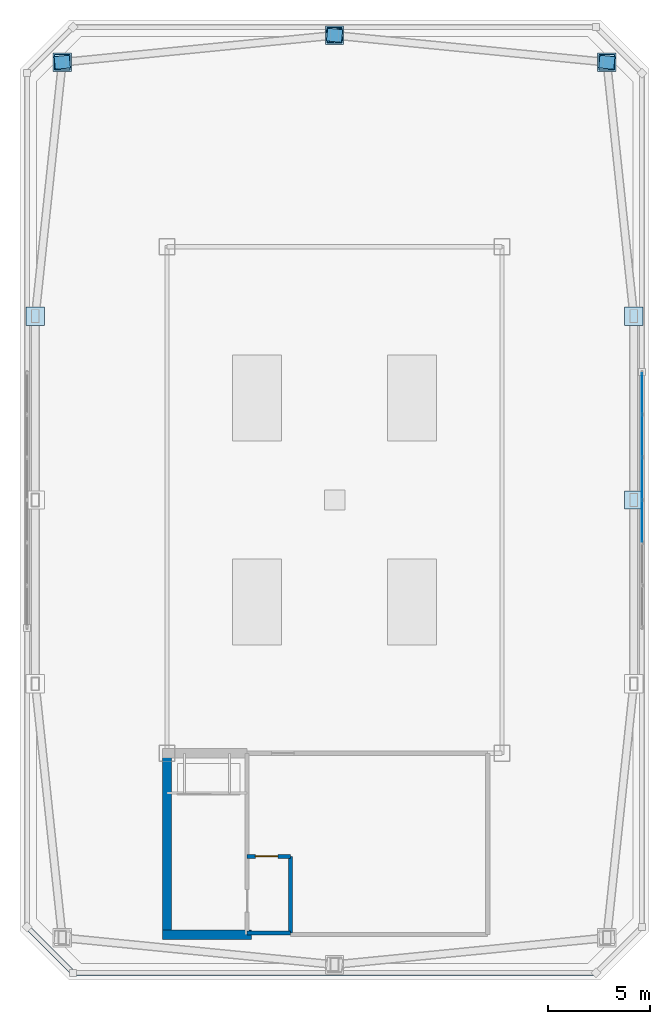
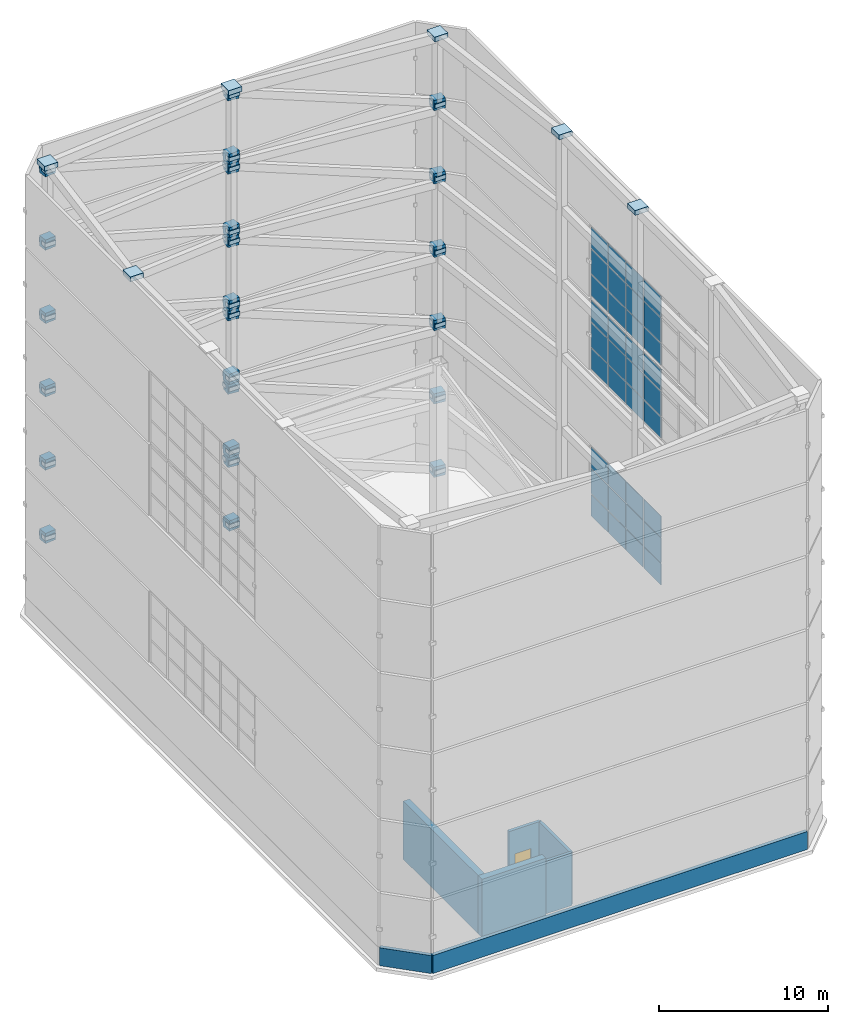
# One storey, part 45 of 47: 90 plates, 7 walls, 1 door, 1 opening, 3 elements without a shape of their own.
"""IFC4 building model written with IfcOpenShell, lengths in metres."""

from ifc_helpers import new_model, si_unit, direction, frame, frame_2d, origin, origin_2d, place, context, subcontext, project, spatial, rectangle, extrude, material, layer, layer_set, type_object, element, fill, aggregate, save


model = new_model("IFC4")

# Units and contexts
model_context = context("Model", 3, precision=1e-05, world=origin(), true_north=direction((0.0, 1.0)))
body_context = subcontext(model_context, "Body", "Model", "MODEL_VIEW")
ifc_project = project(units=[si_unit("LENGTHUNIT", "METRE"), si_unit("AREAUNIT", "SQUARE_METRE"), si_unit("VOLUMEUNIT", "CUBIC_METRE"), si_unit("PLANEANGLEUNIT", "RADIAN"), si_unit("MASSUNIT", "GRAM", prefix="KILO")], contexts=[model_context])

# Site, building, storey
site_placement = place(None, origin())
site = spatial("IfcSite", under=ifc_project, at=site_placement, CompositionType="ELEMENT")
building_placement = place(site_placement, origin())
building = spatial("IfcBuilding", under=site, at=building_placement, Name="Qiaolan Cultural Towers", CompositionType="ELEMENT")
storey_placement = place(building_placement, frame((0.0, 0.0, 280.199951171875)))
storey = spatial("IfcBuildingStorey", under=building, at=storey_placement, Name="RF", CompositionType="ELEMENT", Elevation=280.199951171875)

# Curtain wall, plates
ifc_material_1 = material(Name="Unitized Anodized Aluminium Curtain Wall System", Category="aluminium")
ifc_layer_1 = layer(ifc_material_1, 0.199951171875)
ifc_layer_set_1 = layer_set([ifc_layer_1], Name="Unitized Anodized Aluminium Curtain Wall System")
curtain_wall_type = type_object("IfcCurtainWallType", Name="CWS-06", PredefinedType="NOTDEFINED", material=ifc_layer_set_1)
curtain_wall_1_placement = place(storey_placement, origin())
curtain_wall_1 = element("IfcCurtainWall", 1, at=curtain_wall_1_placement, inside=storey, type_object=curtain_wall_type, Name="T1 Crown Tier 2 Fritted Screen Curtain Wall 3", PredefinedType="NOTDEFINED")
ifc_material_2 = material(Name="Laminated Low-E Insulating Glass Unit", Category="glass")
ifc_layer_2 = layer(ifc_material_2, 0.035888671875)
ifc_layer_set_2 = layer_set([ifc_layer_2], Name="Laminated Low-E Insulating Glass Unit")
plate_type_1 = type_object("IfcPlateType", Name="CWS-06-PNL", PredefinedType="CURTAIN_PANEL", material=ifc_layer_set_2)
plate_1_placement = place(storey_placement, frame((45.050048828125, 32.955078125, 5.46484375), z_axis=(0.0, 0.0, 1.0), x_axis=(0.0, 1.0, 0.0)))
plate_1 = element("IfcPlate", 2, at=plate_1_placement, type_object=plate_type_1, Name="CW-6 panel 3.1", PredefinedType="CURTAIN_PANEL", context=body_context, shape_type="SweptSolid", body=[
    extrude(rectangle(XDim=2.014892578125, YDim=0.035888671875, at=origin_2d()), origin(), (0.0, 0.0, 1.0), 1.532470703125),
])
plate_2_placement = place(storey_placement, frame((45.050048828125, 32.955078125, 7.0625), z_axis=(0.0, 0.0, 1.0), x_axis=(0.0, 1.0, 0.0)))
plate_2 = element("IfcPlate", 3, at=plate_2_placement, type_object=plate_type_1, Name="CW-6 panel 3.2", PredefinedType="CURTAIN_PANEL", context=body_context, shape_type="SweptSolid", body=[
    extrude(rectangle(XDim=2.014892578125, YDim=0.035888671875, at=origin_2d()), origin(), (0.0, 0.0, 1.0), 1.77490234375),
])
plate_3_placement = place(storey_placement, frame((45.050048828125, 32.955078125, 8.90234375), z_axis=(0.0, 0.0, 1.0), x_axis=(0.0, 1.0, 0.0)))
plate_3 = element("IfcPlate", 4, at=plate_3_placement, type_object=plate_type_1, Name="CW-6 panel 3.3", PredefinedType="CURTAIN_PANEL", context=body_context, shape_type="SweptSolid", body=[
    extrude(rectangle(XDim=2.014892578125, YDim=0.035888671875, at=origin_2d()), origin(), (0.0, 0.0, 1.0), 1.532470703125),
])
plate_4_placement = place(storey_placement, frame((45.050048828125, 35.044921875, 5.46484375), z_axis=(0.0, 0.0, 1.0), x_axis=(0.0, 1.0, 0.0)))
plate_4 = element("IfcPlate", 5, at=plate_4_placement, type_object=plate_type_1, Name="CW-6 panel 4.1", PredefinedType="CURTAIN_PANEL", context=body_context, shape_type="SweptSolid", body=[
    extrude(rectangle(XDim=2.014892578125, YDim=0.035888671875, at=origin_2d()), origin(), (0.0, 0.0, 1.0), 1.532470703125),
])
plate_5_placement = place(storey_placement, frame((45.050048828125, 35.044921875, 7.0625), z_axis=(0.0, 0.0, 1.0), x_axis=(0.0, 1.0, 0.0)))
plate_5 = element("IfcPlate", 6, at=plate_5_placement, type_object=plate_type_1, Name="CW-6 panel 4.2", PredefinedType="CURTAIN_PANEL", context=body_context, shape_type="SweptSolid", body=[
    extrude(rectangle(XDim=2.014892578125, YDim=0.035888671875, at=origin_2d()), origin(), (0.0, 0.0, 1.0), 1.77490234375),
])
plate_6_placement = place(storey_placement, frame((45.050048828125, 35.044921875, 8.90234375), z_axis=(0.0, 0.0, 1.0), x_axis=(0.0, 1.0, 0.0)))
plate_6 = element("IfcPlate", 7, at=plate_6_placement, type_object=plate_type_1, Name="CW-6 panel 4.3", PredefinedType="CURTAIN_PANEL", context=body_context, shape_type="SweptSolid", body=[
    extrude(rectangle(XDim=2.014892578125, YDim=0.035888671875, at=origin_2d()), origin(), (0.0, 0.0, 1.0), 1.532470703125),
])
plate_7_placement = place(storey_placement, frame((45.050048828125, 37.135009765625, 5.46484375), z_axis=(0.0, 0.0, 1.0), x_axis=(0.0, 1.0, 0.0)))
plate_7 = element("IfcPlate", 8, at=plate_7_placement, type_object=plate_type_1, Name="CW-6 panel 5.1", PredefinedType="CURTAIN_PANEL", context=body_context, shape_type="SweptSolid", body=[
    extrude(rectangle(XDim=2.014892578125, YDim=0.035888671875, at=origin_2d()), origin(), (0.0, 0.0, 1.0), 1.532470703125),
])
plate_8_placement = place(storey_placement, frame((45.050048828125, 37.135009765625, 7.0625), z_axis=(0.0, 0.0, 1.0), x_axis=(0.0, 1.0, 0.0)))
plate_8 = element("IfcPlate", 9, at=plate_8_placement, type_object=plate_type_1, Name="CW-6 panel 5.2", PredefinedType="CURTAIN_PANEL", context=body_context, shape_type="SweptSolid", body=[
    extrude(rectangle(XDim=2.014892578125, YDim=0.035888671875, at=origin_2d()), origin(), (0.0, 0.0, 1.0), 1.77490234375),
])
plate_9_placement = place(storey_placement, frame((45.050048828125, 37.135009765625, 8.90234375), z_axis=(0.0, 0.0, 1.0), x_axis=(0.0, 1.0, 0.0)))
plate_9 = element("IfcPlate", 10, at=plate_9_placement, type_object=plate_type_1, Name="CW-6 panel 5.3", PredefinedType="CURTAIN_PANEL", context=body_context, shape_type="SweptSolid", body=[
    extrude(rectangle(XDim=2.014892578125, YDim=0.035888671875, at=origin_2d()), origin(), (0.0, 0.0, 1.0), 1.532470703125),
])
plate_10_placement = place(storey_placement, frame((45.050048828125, 39.206298828125, 5.46484375), z_axis=(0.0, 0.0, 1.0), x_axis=(0.0, 1.0, 0.0)))
plate_10 = element("IfcPlate", 11, at=plate_10_placement, type_object=plate_type_1, Name="CW-6 panel 6.1", PredefinedType="CURTAIN_PANEL", context=body_context, shape_type="SweptSolid", body=[
    extrude(rectangle(XDim=1.9775390625, YDim=0.035888671875, at=origin_2d()), origin(), (0.0, 0.0, 1.0), 1.532470703125),
])
plate_11_placement = place(storey_placement, frame((45.050048828125, 39.206298828125, 7.0625), z_axis=(0.0, 0.0, 1.0), x_axis=(0.0, 1.0, 0.0)))
plate_11 = element("IfcPlate", 12, at=plate_11_placement, type_object=plate_type_1, Name="CW-6 panel 6.2", PredefinedType="CURTAIN_PANEL", context=body_context, shape_type="SweptSolid", body=[
    extrude(rectangle(XDim=1.9775390625, YDim=0.035888671875, at=origin_2d()), origin(), (0.0, 0.0, 1.0), 1.77490234375),
])
plate_12_placement = place(storey_placement, frame((45.050048828125, 39.206298828125, 8.90234375), z_axis=(0.0, 0.0, 1.0), x_axis=(0.0, 1.0, 0.0)))
plate_12 = element("IfcPlate", 13, at=plate_12_placement, type_object=plate_type_1, Name="CW-6 panel 6.3", PredefinedType="CURTAIN_PANEL", context=body_context, shape_type="SweptSolid", body=[
    extrude(rectangle(XDim=1.9775390625, YDim=0.035888671875, at=origin_2d()), origin(), (0.0, 0.0, 1.0), 1.532470703125),
])
aggregate(curtain_wall_1, [plate_1, plate_2, plate_3, plate_4, plate_5, plate_6, plate_7, plate_8, plate_9, plate_10, plate_11, plate_12])

curtain_wall_2_placement = place(storey_placement, origin())
curtain_wall_2 = element("IfcCurtainWall", 14, at=curtain_wall_2_placement, inside=storey, type_object=curtain_wall_type, Name="T1 Crown Tier 4 Fritted Screen Curtain Wall 3", PredefinedType="NOTDEFINED")
plate_13_placement = place(storey_placement, frame((45.050048828125, 32.955078125, 16.06494140625), z_axis=(0.0, 0.0, 1.0), x_axis=(0.0, 1.0, 0.0)))
plate_13 = element("IfcPlate", 15, at=plate_13_placement, type_object=plate_type_1, Name="CW-6 panel 3.1", PredefinedType="CURTAIN_PANEL", context=body_context, shape_type="SweptSolid", body=[
    extrude(rectangle(XDim=2.014892578125, YDim=0.035888671875, at=origin_2d()), origin(), (0.0, 0.0, 1.0), 1.532470703125),
])
plate_14_placement = place(storey_placement, frame((45.050048828125, 32.955078125, 17.66259765625), z_axis=(0.0, 0.0, 1.0), x_axis=(0.0, 1.0, 0.0)))
plate_14 = element("IfcPlate", 16, at=plate_14_placement, type_object=plate_type_1, Name="CW-6 panel 3.2", PredefinedType="CURTAIN_PANEL", context=body_context, shape_type="SweptSolid", body=[
    extrude(rectangle(XDim=2.014892578125, YDim=0.035888671875, at=origin_2d()), origin(), (0.0, 0.0, 1.0), 1.77490234375),
])
plate_15_placement = place(storey_placement, frame((45.050048828125, 32.955078125, 19.50244140625), z_axis=(0.0, 0.0, 1.0), x_axis=(0.0, 1.0, 0.0)))
plate_15 = element("IfcPlate", 17, at=plate_15_placement, type_object=plate_type_1, Name="CW-6 panel 3.3", PredefinedType="CURTAIN_PANEL", context=body_context, shape_type="SweptSolid", body=[
    extrude(rectangle(XDim=2.014892578125, YDim=0.035888671875, at=origin_2d()), origin(), (0.0, 0.0, 1.0), 1.532470703125),
])
plate_16_placement = place(storey_placement, frame((45.050048828125, 35.044921875, 16.06494140625), z_axis=(0.0, 0.0, 1.0), x_axis=(0.0, 1.0, 0.0)))
plate_16 = element("IfcPlate", 18, at=plate_16_placement, type_object=plate_type_1, Name="CW-6 panel 4.1", PredefinedType="CURTAIN_PANEL", context=body_context, shape_type="SweptSolid", body=[
    extrude(rectangle(XDim=2.014892578125, YDim=0.035888671875, at=origin_2d()), origin(), (0.0, 0.0, 1.0), 1.532470703125),
])
plate_17_placement = place(storey_placement, frame((45.050048828125, 35.044921875, 17.66259765625), z_axis=(0.0, 0.0, 1.0), x_axis=(0.0, 1.0, 0.0)))
plate_17 = element("IfcPlate", 19, at=plate_17_placement, type_object=plate_type_1, Name="CW-6 panel 4.2", PredefinedType="CURTAIN_PANEL", context=body_context, shape_type="SweptSolid", body=[
    extrude(rectangle(XDim=2.014892578125, YDim=0.035888671875, at=origin_2d()), origin(), (0.0, 0.0, 1.0), 1.77490234375),
])
plate_18_placement = place(storey_placement, frame((45.050048828125, 35.044921875, 19.50244140625), z_axis=(0.0, 0.0, 1.0), x_axis=(0.0, 1.0, 0.0)))
plate_18 = element("IfcPlate", 20, at=plate_18_placement, type_object=plate_type_1, Name="CW-6 panel 4.3", PredefinedType="CURTAIN_PANEL", context=body_context, shape_type="SweptSolid", body=[
    extrude(rectangle(XDim=2.014892578125, YDim=0.035888671875, at=origin_2d()), origin(), (0.0, 0.0, 1.0), 1.532470703125),
])
plate_19_placement = place(storey_placement, frame((45.050048828125, 37.135009765625, 16.06494140625), z_axis=(0.0, 0.0, 1.0), x_axis=(0.0, 1.0, 0.0)))
plate_19 = element("IfcPlate", 21, at=plate_19_placement, type_object=plate_type_1, Name="CW-6 panel 5.1", PredefinedType="CURTAIN_PANEL", context=body_context, shape_type="SweptSolid", body=[
    extrude(rectangle(XDim=2.014892578125, YDim=0.035888671875, at=origin_2d()), origin(), (0.0, 0.0, 1.0), 1.532470703125),
])
plate_20_placement = place(storey_placement, frame((45.050048828125, 37.135009765625, 17.66259765625), z_axis=(0.0, 0.0, 1.0), x_axis=(0.0, 1.0, 0.0)))
plate_20 = element("IfcPlate", 22, at=plate_20_placement, type_object=plate_type_1, Name="CW-6 panel 5.2", PredefinedType="CURTAIN_PANEL", context=body_context, shape_type="SweptSolid", body=[
    extrude(rectangle(XDim=2.014892578125, YDim=0.035888671875, at=origin_2d()), origin(), (0.0, 0.0, 1.0), 1.77490234375),
])
plate_21_placement = place(storey_placement, frame((45.050048828125, 37.135009765625, 19.50244140625), z_axis=(0.0, 0.0, 1.0), x_axis=(0.0, 1.0, 0.0)))
plate_21 = element("IfcPlate", 23, at=plate_21_placement, type_object=plate_type_1, Name="CW-6 panel 5.3", PredefinedType="CURTAIN_PANEL", context=body_context, shape_type="SweptSolid", body=[
    extrude(rectangle(XDim=2.014892578125, YDim=0.035888671875, at=origin_2d()), origin(), (0.0, 0.0, 1.0), 1.532470703125),
])
plate_22_placement = place(storey_placement, frame((45.050048828125, 39.206298828125, 16.06494140625), z_axis=(0.0, 0.0, 1.0), x_axis=(0.0, 1.0, 0.0)))
plate_22 = element("IfcPlate", 24, at=plate_22_placement, type_object=plate_type_1, Name="CW-6 panel 6.1", PredefinedType="CURTAIN_PANEL", context=body_context, shape_type="SweptSolid", body=[
    extrude(rectangle(XDim=1.9775390625, YDim=0.035888671875, at=origin_2d()), origin(), (0.0, 0.0, 1.0), 1.532470703125),
])
plate_23_placement = place(storey_placement, frame((45.050048828125, 39.206298828125, 17.66259765625), z_axis=(0.0, 0.0, 1.0), x_axis=(0.0, 1.0, 0.0)))
plate_23 = element("IfcPlate", 25, at=plate_23_placement, type_object=plate_type_1, Name="CW-6 panel 6.2", PredefinedType="CURTAIN_PANEL", context=body_context, shape_type="SweptSolid", body=[
    extrude(rectangle(XDim=1.9775390625, YDim=0.035888671875, at=origin_2d()), origin(), (0.0, 0.0, 1.0), 1.77490234375),
])
plate_24_placement = place(storey_placement, frame((45.050048828125, 39.206298828125, 19.50244140625), z_axis=(0.0, 0.0, 1.0), x_axis=(0.0, 1.0, 0.0)))
plate_24 = element("IfcPlate", 26, at=plate_24_placement, type_object=plate_type_1, Name="CW-6 panel 6.3", PredefinedType="CURTAIN_PANEL", context=body_context, shape_type="SweptSolid", body=[
    extrude(rectangle(XDim=1.9775390625, YDim=0.035888671875, at=origin_2d()), origin(), (0.0, 0.0, 1.0), 1.532470703125),
])
aggregate(curtain_wall_2, [plate_13, plate_14, plate_15, plate_16, plate_17, plate_18, plate_19, plate_20, plate_21, plate_22, plate_23, plate_24])

curtain_wall_3_placement = place(storey_placement, origin())
curtain_wall_3 = element("IfcCurtainWall", 27, at=curtain_wall_3_placement, inside=storey, type_object=curtain_wall_type, Name="T1 Crown Tier 5 Fritted Screen Curtain Wall 3", PredefinedType="NOTDEFINED")
plate_25_placement = place(storey_placement, frame((45.050048828125, 32.955078125, 21.365234375), z_axis=(0.0, 0.0, 1.0), x_axis=(0.0, 1.0, 0.0)))
plate_25 = element("IfcPlate", 28, at=plate_25_placement, type_object=plate_type_1, Name="CW-6 panel 3.1", PredefinedType="CURTAIN_PANEL", context=body_context, shape_type="SweptSolid", body=[
    extrude(rectangle(XDim=2.014892578125, YDim=0.035888671875, at=origin_2d()), origin(), (0.0, 0.0, 1.0), 1.532470703125),
])
plate_26_placement = place(storey_placement, frame((45.050048828125, 32.955078125, 22.962646484375), z_axis=(0.0, 0.0, 1.0), x_axis=(0.0, 1.0, 0.0)))
plate_26 = element("IfcPlate", 29, at=plate_26_placement, type_object=plate_type_1, Name="CW-6 panel 3.2", PredefinedType="CURTAIN_PANEL", context=body_context, shape_type="SweptSolid", body=[
    extrude(rectangle(XDim=2.014892578125, YDim=0.035888671875, at=origin_2d()), origin(), (0.0, 0.0, 1.0), 1.77490234375),
])
plate_27_placement = place(storey_placement, frame((45.050048828125, 32.955078125, 24.802734375), z_axis=(0.0, 0.0, 1.0), x_axis=(0.0, 1.0, 0.0)))
plate_27 = element("IfcPlate", 30, at=plate_27_placement, type_object=plate_type_1, Name="CW-6 panel 3.3", PredefinedType="CURTAIN_PANEL", context=body_context, shape_type="SweptSolid", body=[
    extrude(rectangle(XDim=2.014892578125, YDim=0.035888671875, at=origin_2d()), origin(), (0.0, 0.0, 1.0), 1.532470703125),
])
plate_28_placement = place(storey_placement, frame((45.050048828125, 35.044921875, 21.365234375), z_axis=(0.0, 0.0, 1.0), x_axis=(0.0, 1.0, 0.0)))
plate_28 = element("IfcPlate", 31, at=plate_28_placement, type_object=plate_type_1, Name="CW-6 panel 4.1", PredefinedType="CURTAIN_PANEL", context=body_context, shape_type="SweptSolid", body=[
    extrude(rectangle(XDim=2.014892578125, YDim=0.035888671875, at=origin_2d()), origin(), (0.0, 0.0, 1.0), 1.532470703125),
])
plate_29_placement = place(storey_placement, frame((45.050048828125, 35.044921875, 22.962646484375), z_axis=(0.0, 0.0, 1.0), x_axis=(0.0, 1.0, 0.0)))
plate_29 = element("IfcPlate", 32, at=plate_29_placement, type_object=plate_type_1, Name="CW-6 panel 4.2", PredefinedType="CURTAIN_PANEL", context=body_context, shape_type="SweptSolid", body=[
    extrude(rectangle(XDim=2.014892578125, YDim=0.035888671875, at=origin_2d()), origin(), (0.0, 0.0, 1.0), 1.77490234375),
])
plate_30_placement = place(storey_placement, frame((45.050048828125, 35.044921875, 24.802734375), z_axis=(0.0, 0.0, 1.0), x_axis=(0.0, 1.0, 0.0)))
plate_30 = element("IfcPlate", 33, at=plate_30_placement, type_object=plate_type_1, Name="CW-6 panel 4.3", PredefinedType="CURTAIN_PANEL", context=body_context, shape_type="SweptSolid", body=[
    extrude(rectangle(XDim=2.014892578125, YDim=0.035888671875, at=origin_2d()), origin(), (0.0, 0.0, 1.0), 1.532470703125),
])
plate_31_placement = place(storey_placement, frame((45.050048828125, 37.135009765625, 21.365234375), z_axis=(0.0, 0.0, 1.0), x_axis=(0.0, 1.0, 0.0)))
plate_31 = element("IfcPlate", 34, at=plate_31_placement, type_object=plate_type_1, Name="CW-6 panel 5.1", PredefinedType="CURTAIN_PANEL", context=body_context, shape_type="SweptSolid", body=[
    extrude(rectangle(XDim=2.014892578125, YDim=0.035888671875, at=origin_2d()), origin(), (0.0, 0.0, 1.0), 1.532470703125),
])
plate_32_placement = place(storey_placement, frame((45.050048828125, 37.135009765625, 22.962646484375), z_axis=(0.0, 0.0, 1.0), x_axis=(0.0, 1.0, 0.0)))
plate_32 = element("IfcPlate", 35, at=plate_32_placement, type_object=plate_type_1, Name="CW-6 panel 5.2", PredefinedType="CURTAIN_PANEL", context=body_context, shape_type="SweptSolid", body=[
    extrude(rectangle(XDim=2.014892578125, YDim=0.035888671875, at=origin_2d()), origin(), (0.0, 0.0, 1.0), 1.77490234375),
])
plate_33_placement = place(storey_placement, frame((45.050048828125, 37.135009765625, 24.802734375), z_axis=(0.0, 0.0, 1.0), x_axis=(0.0, 1.0, 0.0)))
plate_33 = element("IfcPlate", 36, at=plate_33_placement, type_object=plate_type_1, Name="CW-6 panel 5.3", PredefinedType="CURTAIN_PANEL", context=body_context, shape_type="SweptSolid", body=[
    extrude(rectangle(XDim=2.014892578125, YDim=0.035888671875, at=origin_2d()), origin(), (0.0, 0.0, 1.0), 1.532470703125),
])
plate_34_placement = place(storey_placement, frame((45.050048828125, 39.206298828125, 21.365234375), z_axis=(0.0, 0.0, 1.0), x_axis=(0.0, 1.0, 0.0)))
plate_34 = element("IfcPlate", 37, at=plate_34_placement, type_object=plate_type_1, Name="CW-6 panel 6.1", PredefinedType="CURTAIN_PANEL", context=body_context, shape_type="SweptSolid", body=[
    extrude(rectangle(XDim=1.9775390625, YDim=0.035888671875, at=origin_2d()), origin(), (0.0, 0.0, 1.0), 1.532470703125),
])
plate_35_placement = place(storey_placement, frame((45.050048828125, 39.206298828125, 22.962646484375), z_axis=(0.0, 0.0, 1.0), x_axis=(0.0, 1.0, 0.0)))
plate_35 = element("IfcPlate", 38, at=plate_35_placement, type_object=plate_type_1, Name="CW-6 panel 6.2", PredefinedType="CURTAIN_PANEL", context=body_context, shape_type="SweptSolid", body=[
    extrude(rectangle(XDim=1.9775390625, YDim=0.035888671875, at=origin_2d()), origin(), (0.0, 0.0, 1.0), 1.77490234375),
])
plate_36_placement = place(storey_placement, frame((45.050048828125, 39.206298828125, 24.802734375), z_axis=(0.0, 0.0, 1.0), x_axis=(0.0, 1.0, 0.0)))
plate_36 = element("IfcPlate", 39, at=plate_36_placement, type_object=plate_type_1, Name="CW-6 panel 6.3", PredefinedType="CURTAIN_PANEL", context=body_context, shape_type="SweptSolid", body=[
    extrude(rectangle(XDim=1.9775390625, YDim=0.035888671875, at=origin_2d()), origin(), (0.0, 0.0, 1.0), 1.532470703125),
])
aggregate(curtain_wall_3, [plate_25, plate_26, plate_27, plate_28, plate_29, plate_30, plate_31, plate_32, plate_33, plate_34, plate_35, plate_36])

# Plates
ifc_material_3 = material(Name="Steel Q355B", Category="steel")
ifc_layer_3 = layer(ifc_material_3, 0.035888671875)
ifc_layer_set_3 = layer_set([ifc_layer_3], Name="Steel Q355B")
plate_type_2 = type_object("IfcPlateType", Name="PL-CONN-36", PredefinedType="USERDEFINED", material=ifc_layer_set_3)
for number, where, z_axis, x_axis, name in (
    (40, (43.330078125, 55.429931640625, -0.1201171875), (0.0, 0.0, 1.0), (-0.99513281456, 0.098542789618, 0.0), "RF Brace End Connection Gusset Plate GP-02-0846"),
    (41, (30.0, 56.75, 4.455078125), (0.0, 0.0, 1.0), (-0.99513281456, 0.098542789618, 0.0), "RF Brace End Connection Gusset Plate GP-02-0847"),
    (42, (30.0, 56.75, -0.1201171875), (0.0, 0.0, 1.0), (0.99513281456, 0.098542789618, 0.0), "RF Brace End Connection Gusset Plate GP-02-0848"),
    (43, (16.669921875, 55.429931640625, 4.455078125), (0.0, 0.0, 1.0), (0.99513281456, 0.098542789618, 0.0), "RF Brace End Connection Gusset Plate GP-02-0849"),
    (44, (43.330078125, 55.429931640625, 5.18017578125), (0.0, 0.0, 1.0), (-0.99513281456, 0.098542789618, 0.0), "RF Brace End Connection Gusset Plate GP-02-0854"),
    (45, (30.0, 56.75, 9.7548828125), (0.0, 0.0, 1.0), (-0.99513281456, 0.098542789618, 0.0), "RF Brace End Connection Gusset Plate GP-02-0855"),
    (46, (30.0, 56.75, 5.18017578125), (0.0, 0.0, 1.0), (0.99513281456, 0.098542789618, 0.0), "RF Brace End Connection Gusset Plate GP-02-0856"),
    (47, (16.669921875, 55.429931640625, 9.7548828125), (0.0, 0.0, 1.0), (0.99513281456, 0.098542789618, 0.0), "RF Brace End Connection Gusset Plate GP-02-0857"),
    (48, (43.330078125, 55.429931640625, 10.47998046875), (0.0, 0.0, 1.0), (-0.99513281456, 0.098542789618, 0.0), "RF Brace End Connection Gusset Plate GP-02-0862"),
    (49, (30.0, 56.75, 15.05517578125), (0.0, 0.0, 1.0), (-0.99513281456, 0.098542789618, 0.0), "RF Brace End Connection Gusset Plate GP-02-0863"),
    (50, (30.0, 56.75, 10.47998046875), (0.0, 0.0, 1.0), (0.99513281456, 0.098542789618, 0.0), "RF Brace End Connection Gusset Plate GP-02-0864"),
    (51, (16.669921875, 55.429931640625, 15.05517578125), (0.0, 0.0, 1.0), (0.99513281456, 0.098542789618, 0.0), "RF Brace End Connection Gusset Plate GP-02-0865"),
    (52, (43.330078125, 55.429931640625, 15.7802734375), (0.0, 0.0, 1.0), (-0.99513281456, 0.098542789618, 0.0), "RF Brace End Connection Gusset Plate GP-02-0870"),
    (53, (30.0, 56.75, 20.35498046875), (0.0, 0.0, 1.0), (-0.99513281456, 0.098542789618, 0.0), "RF Brace End Connection Gusset Plate GP-02-0871"),
    (54, (30.0, 56.75, 15.7802734375), (0.0, 0.0, 1.0), (0.99513281456, 0.098542789618, 0.0), "RF Brace End Connection Gusset Plate GP-02-0872"),
    (55, (16.669921875, 55.429931640625, 20.35498046875), (0.0, 0.0, 1.0), (0.99513281456, 0.098542789618, 0.0), "RF Brace End Connection Gusset Plate GP-02-0873"),
    (56, (43.330078125, 55.429931640625, 21.080078125), (0.0, 0.0, 1.0), (-0.99513281456, 0.098542789618, 0.0), "RF Brace End Connection Gusset Plate GP-02-0878"),
    (57, (30.0, 56.75, 25.6552734375), (0.0, 0.0, 1.0), (-0.99513281456, 0.098542789618, 0.0), "RF Brace End Connection Gusset Plate GP-02-0879"),
    (58, (30.0, 56.75, 21.080078125), (0.0, 0.0, 1.0), (0.99513281456, 0.098542789618, 0.0), "RF Brace End Connection Gusset Plate GP-02-0880"),
    (59, (16.669921875, 55.429931640625, 25.6552734375), (0.0, 0.0, 1.0), (0.99513281456, 0.098542789618, 0.0), "RF Brace End Connection Gusset Plate GP-02-0881"),
    (60, (43.330078125, 55.429931640625, 26.3798828125), (0.0, 0.0, 1.0), (-0.99513281456, 0.098542789618, 0.0), "RF Brace End Connection Gusset Plate GP-02-0886"),
    (61, (30.0, 56.75, 30.955078125), (0.0, 0.0, 1.0), (-0.99513281456, 0.098542789618, 0.0), "RF Brace End Connection Gusset Plate GP-02-0887"),
    (62, (30.0, 56.75, 26.3798828125), (0.0, 0.0, 1.0), (0.99513281456, 0.098542789618, 0.0), "RF Brace End Connection Gusset Plate GP-02-0888"),
    (63, (16.669921875, 55.429931640625, 30.955078125), (0.0, 0.0, 1.0), (0.99513281456, 0.098542789618, 0.0), "RF Brace End Connection Gusset Plate GP-02-0889"),
):
    element("IfcPlate", number, at=place(storey_placement, frame(where, z_axis=z_axis, x_axis=x_axis)), inside=storey, type_object=plate_type_2, Name=name, ObjectType="GUSSET_PLATE", PredefinedType="USERDEFINED", context=body_context, shape_type="SweptSolid", body=[
        extrude(rectangle(XDim=0.739990234375, YDim=0.6201171875, at=origin_2d()), origin(), (0.0, 0.0, 1.0), 0.739990234375),
    ])
ifc_material_4 = material(Name="Steel Q355B", Category="steel")
ifc_layer_4 = layer(ifc_material_4, 0.030029296875)
ifc_layer_set_4 = layer_set([ifc_layer_4], Name="Steel Q355B")
plate_type_3 = type_object("IfcPlateType", Name="PL-ENDCAP-30", PredefinedType="USERDEFINED", material=ifc_layer_set_4)
for number, where, z_axis, x_axis, name in (
    (64, (43.330078125, 55.429931640625, 0.10009765625), (0.0, 0.0, 1.0), (1.0, 0.0, 0.0), "Crown Brace End Seal Plate CP-01"),
    (65, (30.0, 56.75, 4.6748046875), (0.0, 0.0, 1.0), (1.0, 0.0, 0.0), "Crown Brace End Seal Plate CP-01"),
    (66, (30.0, 56.75, 0.10009765625), (0.0, 0.0, 1.0), (1.0, 0.0, 0.0), "Crown Brace End Seal Plate CP-01"),
    (67, (16.669921875, 55.429931640625, 4.6748046875), (0.0, 0.0, 1.0), (1.0, 0.0, 0.0), "Crown Brace End Seal Plate CP-01"),
    (68, (43.330078125, 55.429931640625, 5.39990234375), (0.0, 0.0, 1.0), (1.0, 0.0, 0.0), "Crown Brace End Seal Plate CP-01"),
    (69, (30.0, 56.75, 9.97509765625), (0.0, 0.0, 1.0), (1.0, 0.0, 0.0), "Crown Brace End Seal Plate CP-01"),
    (70, (30.0, 56.75, 5.39990234375), (0.0, 0.0, 1.0), (1.0, 0.0, 0.0), "Crown Brace End Seal Plate CP-01"),
    (71, (16.669921875, 55.429931640625, 9.97509765625), (0.0, 0.0, 1.0), (1.0, 0.0, 0.0), "Crown Brace End Seal Plate CP-01"),
    (72, (43.330078125, 55.429931640625, 10.7001953125), (0.0, 0.0, 1.0), (1.0, 0.0, 0.0), "Crown Brace End Seal Plate CP-01"),
    (73, (30.0, 56.75, 15.27490234375), (0.0, 0.0, 1.0), (1.0, 0.0, 0.0), "Crown Brace End Seal Plate CP-01"),
    (74, (30.0, 56.75, 10.7001953125), (0.0, 0.0, 1.0), (1.0, 0.0, 0.0), "Crown Brace End Seal Plate CP-01"),
    (75, (16.669921875, 55.429931640625, 15.27490234375), (0.0, 0.0, 1.0), (1.0, 0.0, 0.0), "Crown Brace End Seal Plate CP-01"),
    (76, (43.330078125, 55.429931640625, 16.0), (0.0, 0.0, 1.0), (1.0, 0.0, 0.0), "Crown Brace End Seal Plate CP-01"),
    (77, (30.0, 56.75, 20.5751953125), (0.0, 0.0, 1.0), (1.0, 0.0, 0.0), "Crown Brace End Seal Plate CP-01"),
    (78, (30.0, 56.75, 16.0), (0.0, 0.0, 1.0), (1.0, 0.0, 0.0), "Crown Brace End Seal Plate CP-01"),
    (79, (16.669921875, 55.429931640625, 20.5751953125), (0.0, 0.0, 1.0), (1.0, 0.0, 0.0), "Crown Brace End Seal Plate CP-01"),
    (80, (43.330078125, 55.429931640625, 21.2998046875), (0.0, 0.0, 1.0), (1.0, 0.0, 0.0), "Crown Brace End Seal Plate CP-01"),
    (81, (30.0, 56.75, 25.875), (0.0, 0.0, 1.0), (1.0, 0.0, 0.0), "Crown Brace End Seal Plate CP-01"),
    (82, (30.0, 56.75, 21.2998046875), (0.0, 0.0, 1.0), (1.0, 0.0, 0.0), "Crown Brace End Seal Plate CP-01"),
    (83, (16.669921875, 55.429931640625, 25.875), (0.0, 0.0, 1.0), (1.0, 0.0, 0.0), "Crown Brace End Seal Plate CP-01"),
    (84, (43.330078125, 55.429931640625, 26.60009765625), (0.0, 0.0, 1.0), (1.0, 0.0, 0.0), "Crown Brace End Seal Plate CP-01"),
    (85, (30.0, 56.75, 31.1748046875), (0.0, 0.0, 1.0), (1.0, 0.0, 0.0), "Crown Brace End Seal Plate CP-01"),
    (86, (30.0, 56.75, 26.60009765625), (0.0, 0.0, 1.0), (1.0, 0.0, 0.0), "Crown Brace End Seal Plate CP-01"),
    (87, (16.669921875, 55.429931640625, 31.1748046875), (0.0, 0.0, 1.0), (1.0, 0.0, 0.0), "Crown Brace End Seal Plate CP-01"),
):
    element("IfcPlate", number, at=place(storey_placement, frame(where, z_axis=z_axis, x_axis=x_axis)), inside=storey, type_object=plate_type_3, Name=name, ObjectType="BASE_PLATE", PredefinedType="USERDEFINED", context=body_context, shape_type="SweptSolid", body=[
        extrude(rectangle(XDim=0.75, YDim=0.75, at=origin_2d()), origin(), (0.0, 0.0, 1.0), 0.300048828125),
    ])
for number, where, z_axis, x_axis, name in (
    (88, (44.64990234375, 34.0, 31.47509765625), (0.0, 0.0, 1.0), (1.0, 0.0, 0.0), "Crown Top Cap Corner Seal Plate CP-01"),
    (89, (44.64990234375, 43.0, 31.47509765625), (0.0, 0.0, 1.0), (1.0, 0.0, 0.0), "Crown Top Cap Corner Seal Plate CP-01"),
    (90, (43.330078125, 55.429931640625, 31.47509765625), (0.0, 0.0, 1.0), (1.0, 0.0, 0.0), "Crown Top Cap Corner Seal Plate CP-01"),
    (91, (30.0, 56.75, 31.47509765625), (0.0, 0.0, 1.0), (1.0, 0.0, 0.0), "Crown Top Cap Corner Seal Plate CP-01"),
    (92, (16.669921875, 55.429931640625, 31.47509765625), (0.0, 0.0, 1.0), (1.0, 0.0, 0.0), "Crown Top Cap Corner Seal Plate CP-01"),
    (93, (15.35009765625, 43.0, 31.47509765625), (0.0, 0.0, 1.0), (1.0, 0.0, 0.0), "Crown Top Cap Corner Seal Plate CP-01"),
):
    element("IfcPlate", number, at=place(storey_placement, frame(where, z_axis=z_axis, x_axis=x_axis)), inside=storey, type_object=plate_type_3, Name=name, ObjectType="BASE_PLATE", PredefinedType="USERDEFINED", context=body_context, shape_type="SweptSolid", body=[
        extrude(rectangle(XDim=0.89990234375, YDim=0.89990234375, at=origin_2d()), origin(), (0.0, 0.0, 1.0), 0.35009765625),
    ])

# Walls
ifc_material_5 = material(Name="Concrete C50", Category="concrete")
ifc_layer_5 = layer(ifc_material_5, 0.449951171875)
ifc_layer_set_5 = layer_set([ifc_layer_5], Name="Concrete C50")
wall_type_1 = type_object("IfcWallType", Name="WL-CORE-450", PredefinedType="SHEAR", material=ifc_layer_set_5)
wall_1_placement = place(storey_placement, frame((21.574951171875, 12.719970703125, 0.0), z_axis=(0.0, 0.0, 1.0), x_axis=(1.0, 0.0, 0.0)))
element("IfcWall", 94, at=wall_1_placement, inside=storey, type_object=wall_type_1, Name="RF T1-CS Outer Core Shear Wall", PredefinedType="SHEAR", context=body_context, shape_type="SweptSolid", body=[
    extrude(rectangle(XDim=4.3701171875, YDim=0.449951171875, at=frame_2d((2.18505859375, 0.0))), origin(), (0.0, 0.0, 1.0), 4.199951171875),
])
wall_2_placement = place(storey_placement, frame((21.800048828125, 21.824951171875, 0.0), z_axis=(0.0, 0.0, 1.0), x_axis=(0.0, -1.0, 0.0)))
element("IfcWall", 95, at=wall_2_placement, inside=storey, type_object=wall_type_1, Name="RF T1-CS West Core Shear Wall", PredefinedType="SHEAR", context=body_context, shape_type="SweptSolid", body=[
    extrude(rectangle(XDim=9.329833984375, YDim=0.449951171875, at=frame_2d((4.6650390625, 0.0))), origin(), (0.0, 0.0, 1.0), 4.199951171875),
])

# Wall, opening, door
ifc_material_6 = material(Name="Concrete C35 Fire Wall", Category="concrete")
ifc_layer_6 = layer(ifc_material_6, 0.199951171875)
ifc_layer_set_6 = layer_set([ifc_layer_6], Name="Concrete C35 Fire Wall")
wall_type_2 = type_object("IfcWallType", Name="WL-FIRE-200", PredefinedType="PARTITIONING", material=ifc_layer_set_6)
wall_3_placement = place(storey_placement, frame((25.719970703125, 16.550048828125, 0.0), z_axis=(0.0, 0.0, 1.0), x_axis=(1.0, 0.0, 0.0)))
wall_3 = element("IfcWall", 96, at=wall_3_placement, inside=storey, type_object=wall_type_2, Name="RF FFL-W1 Shaft Wall FF-S", PredefinedType="PARTITIONING", context=body_context, shape_type="SweptSolid", body=[
    extrude(rectangle(XDim=2.130126953125, YDim=0.199951171875, at=frame_2d((1.06494140625, 0.0))), origin(), (0.0, 0.0, 1.0), 3.800048828125),
])
opening_placement = place(wall_3_placement, frame((0.39990234375, 0.0, 0.0)))
opening = element("IfcOpeningElement", 97, at=opening_placement, cuts=wall_3, Name="Opening LD-01", PredefinedType="OPENING", context=body_context, shape_type="SweptSolid", body=[
    extrude(rectangle(XDim=1.10009765625, YDim=2.050048828125, at=frame_2d((0.550048828125, 1.02490234375))), frame((0.0, 0.10986328125, 0.0), z_axis=(0.0, -1.0, 0.0), x_axis=(1.0, 0.0, 0.0)), (0.0, 0.0, 1.0), 0.219970703125),
])
ifc_material_7 = material(Name="Brushed Stainless Steel S30408 Centre-Parting Lift Landing Door", Category="steel")
door_type = type_object("IfcDoorType", Name="DR-LIFT-1100", OperationType="NOTDEFINED", PredefinedType="DOOR", material=ifc_material_7)
door_placement = place(opening_placement, origin())
door = element("IfcDoor", 98, at=door_placement, inside=storey, type_object=door_type, Name="RF FFL-W1 Firefighting Lift Landing Door", OperationType="DOUBLE_DOOR_SLIDING", OverallHeight=2.050048828125, OverallWidth=1.10009765625, PredefinedType="DOOR", context=body_context, shape_type="SweptSolid", body=[
    extrude(rectangle(XDim=1.10009765625, YDim=2.050048828125, at=frame_2d((0.550048828125, 1.02490234375))), frame((0.0, 0.02490234375, 0.0), z_axis=(0.0, -1.0, 0.0), x_axis=(1.0, 0.0, 0.0)), (0.0, 0.0, 1.0), 0.050048828125),
])
fill(opening, door)

# Walls
wall_4_placement = place(storey_placement, frame((27.85009765625, 16.550048828125, 0.0), z_axis=(0.0, 0.0, 1.0), x_axis=(0.0, -1.0, 0.0)))
element("IfcWall", 99, at=wall_4_placement, inside=storey, type_object=wall_type_2, Name="RF FFL-W1 Shaft Wall FF-E", PredefinedType="PARTITIONING", context=body_context, shape_type="SweptSolid", body=[
    extrude(rectangle(XDim=3.75, YDim=0.199951171875, at=frame_2d((1.875, 0.0))), origin(), (0.0, 0.0, 1.0), 3.800048828125),
])
wall_5_placement = place(storey_placement, frame((25.719970703125, 12.800048828125, 0.0), z_axis=(0.0, 0.0, 1.0), x_axis=(1.0, 0.0, 0.0)))
element("IfcWall", 100, at=wall_5_placement, inside=storey, type_object=wall_type_2, Name="RF FFL-W1 Shaft Wall FF-N", PredefinedType="PARTITIONING", context=body_context, shape_type="SweptSolid", body=[
    extrude(rectangle(XDim=2.130126953125, YDim=0.199951171875, at=frame_2d((1.06494140625, 0.0))), origin(), (0.0, 0.0, 1.0), 3.800048828125),
])
ifc_material_8 = material(Name="Precast Concrete C45 Parapet Coping", Category="concrete")
ifc_layer_7 = layer(ifc_material_8, 0.25)
ifc_layer_set_7 = layer_set([ifc_layer_7], Name="Precast Concrete C45 Parapet Coping")
wall_type_3 = type_object("IfcWallType", Name="WL-PARAPET-250", PredefinedType="PARAPET", material=ifc_layer_set_7)
wall_6_placement = place(storey_placement, frame((17.199951171875, 10.85009765625, 0.0), z_axis=(0.0, 0.0, 1.0), x_axis=(1.0, 0.0, 0.0)))
element("IfcWall", 101, at=wall_6_placement, inside=storey, type_object=wall_type_3, Name="T1 Roof Perimeter Parapet Wall 1", PredefinedType="PARAPET", context=body_context, shape_type="SweptSolid", body=[
    extrude(rectangle(XDim=25.60009765625, YDim=0.25, at=frame_2d((12.800048828125, 0.0))), origin(), (0.0, 0.0, 1.0), 1.300048828125),
])
wall_7_placement = place(storey_placement, frame((14.949951171875, 13.10009765625, 0.0), z_axis=(0.0, 0.0, 1.0), x_axis=(0.707106781187, -0.707106781187, 0.0)))
element("IfcWall", 102, at=wall_7_placement, inside=storey, type_object=wall_type_3, Name="T1 Roof Perimeter Parapet Wall 8", PredefinedType="PARAPET", context=body_context, shape_type="SweptSolid", body=[
    extrude(rectangle(XDim=3.181884765625, YDim=0.25, at=frame_2d((1.5908203125, 0.0))), origin(), (0.0, 0.0, 1.0), 1.300048828125),
])

save(model, "model.ifc")
